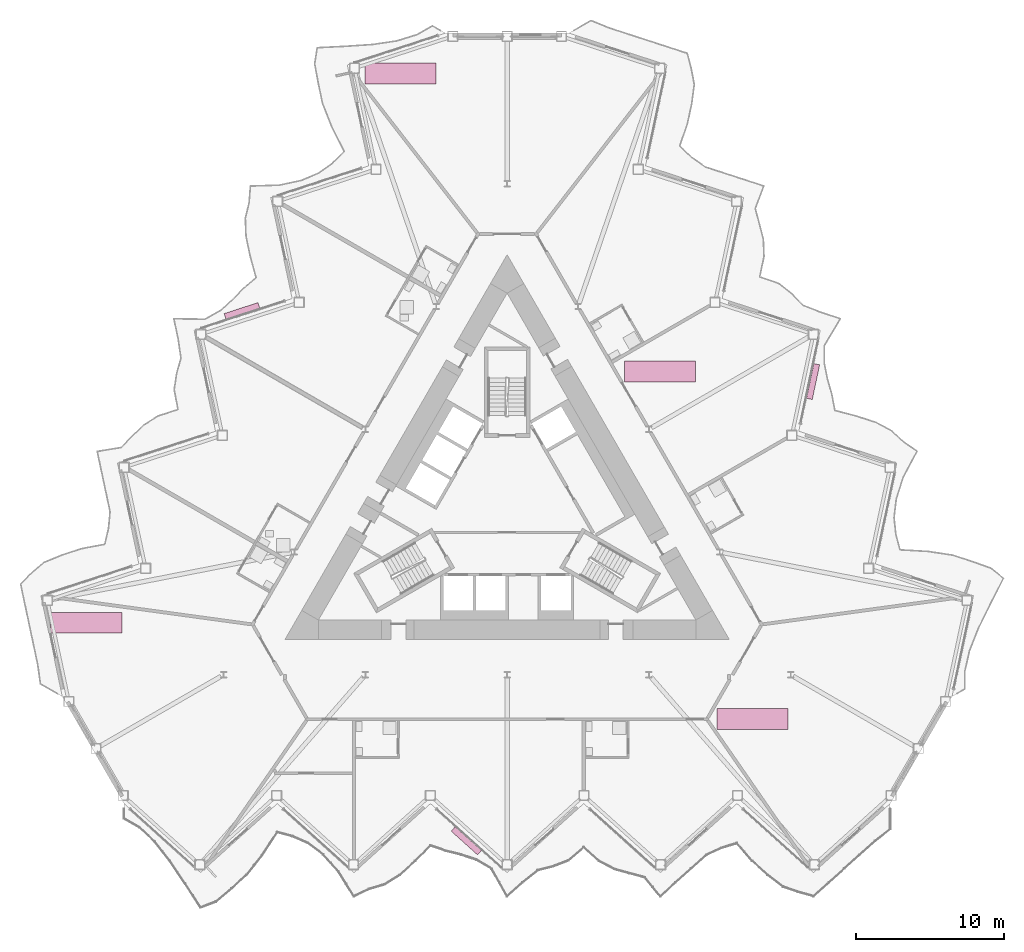
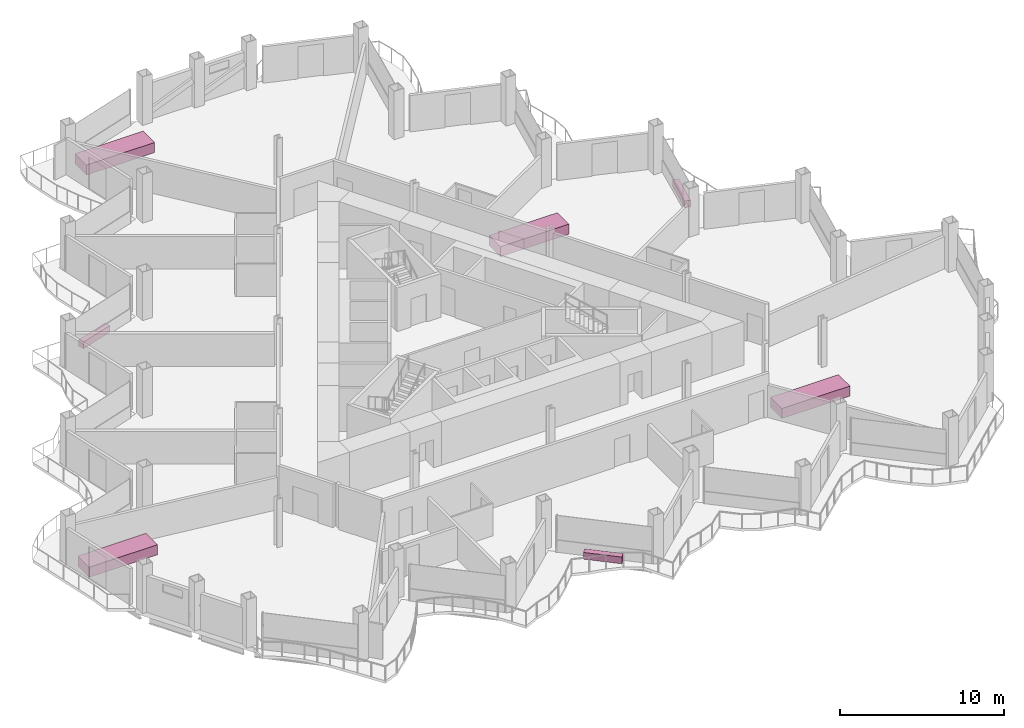
# One storey, part 23 of 23: 7 furniture elements.
"""IFC4 building model written with IfcOpenShell, lengths in metres."""

from ifc_helpers import new_model, si_unit, direction, frame, origin, origin_2d, place, context, subcontext, project, spatial, rectangle, extrude, material, type_object, element, save


model = new_model("IFC4")

# Units and contexts
model_context = context("Model", 3, precision=1e-05, world=origin(), true_north=direction((0.0, 1.0)))
body_context = subcontext(model_context, "Body", "Model", "MODEL_VIEW")
ifc_project = project(units=[si_unit("LENGTHUNIT", "METRE"), si_unit("AREAUNIT", "SQUARE_METRE"), si_unit("VOLUMEUNIT", "CUBIC_METRE"), si_unit("PLANEANGLEUNIT", "RADIAN"), si_unit("MASSUNIT", "GRAM", prefix="KILO")], contexts=[model_context])

# Site, building, storey
site_placement = place(None, origin())
site = spatial("IfcSite", under=ifc_project, at=site_placement, CompositionType="ELEMENT")
building_placement = place(site_placement, origin())
building = spatial("IfcBuilding", under=site, at=building_placement, Name="Cormorant Prow Tower", CompositionType="ELEMENT")
storey_placement = place(building_placement, frame((0.0, 0.0, 241.800048828125)))
storey = spatial("IfcBuildingStorey", under=building, at=storey_placement, Name="L53", CompositionType="ELEMENT", Elevation=241.800048828125)

# Furniture
ifc_material_1 = material(Name="Terracotta", Category="masonry")
furniture_type_1 = type_object("IfcFurnitureType", Name="Balcony planter 2400x400x500", AssemblyPlace="NOTDEFINED", PredefinedType="USERDEFINED", material=ifc_material_1)
for number, where, z_axis, x_axis, name in (
    (1, (-2.755126953125, -22.274169921875, 0.0), (0.0, 0.0, 1.0), (0.743144812176, -0.669130621132, 0.0), "Balcony planter S04"),
    (2, (20.66748046875, 8.7509765625, 0.0), (0.0, 0.0, 1.0), (0.207911667327, 0.978147605727, 0.0), "Balcony planter ENE04"),
    (3, (-17.912353515625, 13.52294921875, 0.0), (0.0, 0.0, 1.0), (-0.951056517978, -0.309016989196, 0.0), "Balcony planter WNW04"),
):
    element("IfcFurniture", number, at=place(storey_placement, frame(where, z_axis=z_axis, x_axis=x_axis)), inside=storey, type_object=furniture_type_1, Name=name, ObjectType="PLANTER", PredefinedType="USERDEFINED", context=body_context, shape_type="SweptSolid", body=[
        extrude(rectangle(XDim=2.39990234375, YDim=0.39990234375, at=origin_2d()), origin(), (0.0, 0.0, 1.0), 0.5),
    ])
ifc_material_2 = material(Name="Timber joinery", Category="wood")
furniture_type_2 = type_object("IfcFurnitureType", Name="Conference table 4800x1400", AssemblyPlace="NOTDEFINED", PredefinedType="TABLE", material=ifc_material_2)
for number, where, z_axis, x_axis, name in (
    (4, (16.561279296875, -14.04052734375, 0.0), (0.0, 0.0, 1.0), (1.0, 0.0, 0.0), "Conference table"),
    (5, (10.3203125, 9.427490234375, 0.0), (0.0, 0.0, 1.0), (1.0, 0.0, 0.0), "Conference table"),
    (6, (-7.206787109375, 29.5654296875, 0.0), (0.0, 0.0, 1.0), (1.0, 0.0, 0.0), "Conference table"),
    (7, (-28.431396484375, -7.54052734375, 0.0), (0.0, 0.0, 1.0), (1.0, 0.0, 0.0), "Conference table"),
):
    element("IfcFurniture", number, at=place(storey_placement, frame(where, z_axis=z_axis, x_axis=x_axis)), inside=storey, type_object=furniture_type_2, Name=name, PredefinedType="TABLE", context=body_context, shape_type="SweptSolid", body=[
        extrude(rectangle(XDim=4.800048828125, YDim=1.39990234375, at=origin_2d()), origin(), (0.0, 0.0, 1.0), 0.75),
    ])

save(model, "model.ifc")
